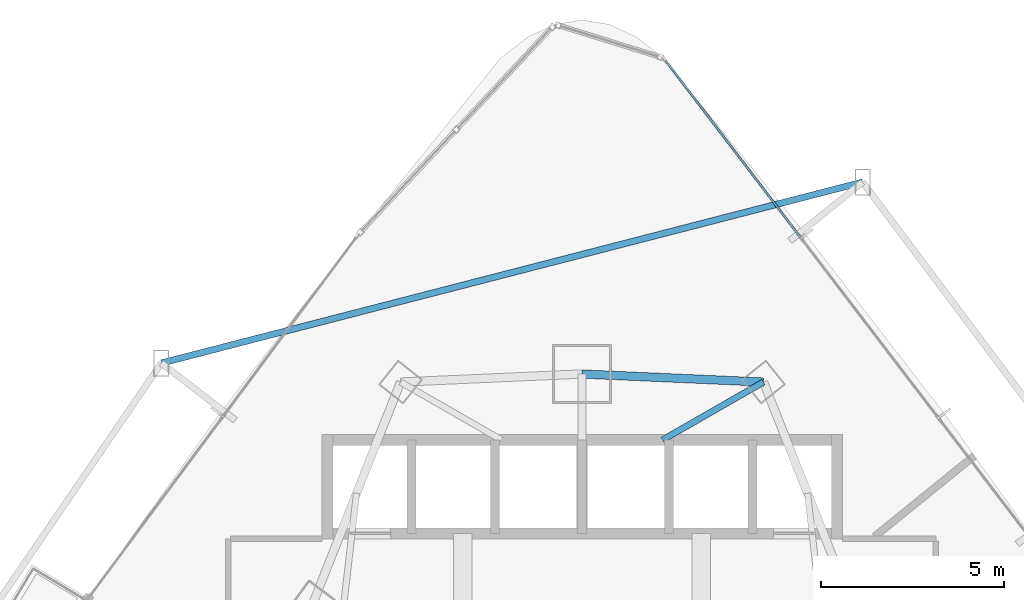
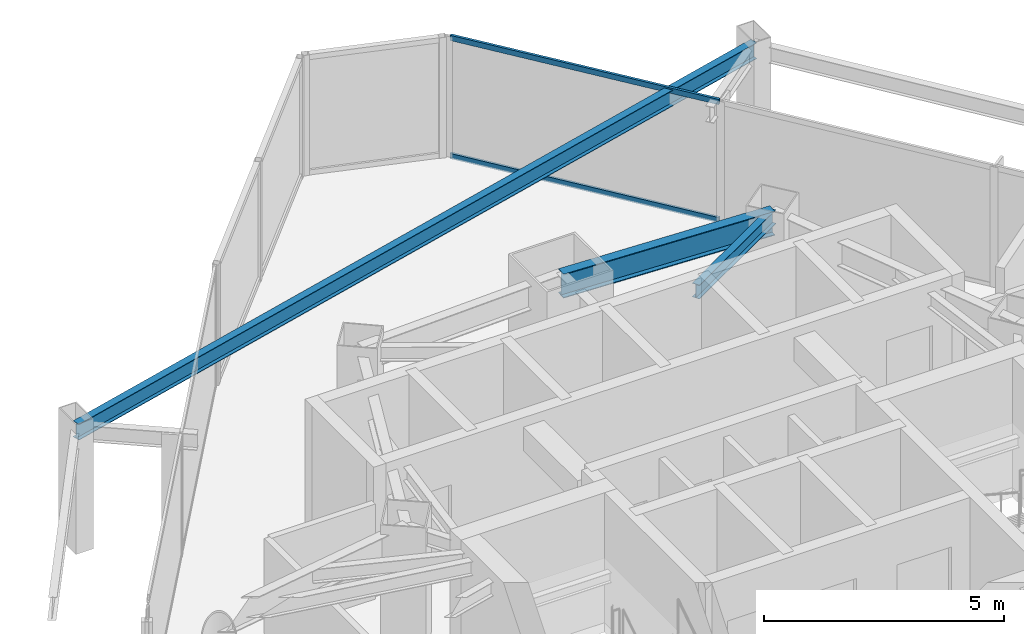
# One storey, part 23 of 34: 3 beams, 2 members, 1 element without a shape of its own.
"""IFC4 building model written with IfcOpenShell, lengths in metres."""

import ifcopenshell
import ifcopenshell.guid

model = None  # the IFC model being written
_history = None  # IfcOwnerHistory: only IFC2X3 demands one
_inside = {}  # id of a spatial element -> (the spatial element, [elements in it])
_under = {}  # id of a project, library or spatial element -> (it, [spatial elements below it])
_declared = {}  # id of a project -> (the project, [libraries it declares])
_typed = {}  # id of a type object -> (the type object, [elements of that type])
_made_of = {}  # id of a material, layer set ... -> (it, [elements and type objects made of it])


def new_model(schema):
    """Start an empty IFC model of exactly this schema.

    Asked for "IFC4X3", IfcOpenShell would pick the latest addendum, in which some entities
    have other attributes; the version numbers below select the first issue.
    IFC2X3 requires an IfcOwnerHistory on every rooted entity: one is made here for all.
    """
    global model, _history
    if schema == "IFC4X3":
        model = ifcopenshell.file(schema_version=(4, 3, 0, 0))
    else:
        model = ifcopenshell.file(schema=schema)
    _inside.clear()
    _under.clear()
    _declared.clear()
    _typed.clear()
    _made_of.clear()
    _history = None
    if model.schema == "IFC2X3":
        org = make("IfcOrganization", Name="unknown")
        user = make(
            "IfcPersonAndOrganization",
            ThePerson=make("IfcPerson", FamilyName="unknown"),
            TheOrganization=org,
        )
        app = make(
            "IfcApplication",
            ApplicationDeveloper=org,
            Version="unknown",
            ApplicationFullName="unknown",
            ApplicationIdentifier="unknown",
        )
        _history = make(
            "IfcOwnerHistory",
            OwningUser=user,
            OwningApplication=app,
            ChangeAction="ADDED",
            CreationDate=0,
        )
    return model


def make(cls, **values):
    """One entity of the class cls with the attributes given. An attribute that is None is left unset."""
    return model.create_entity(
        cls, **{name: value for name, value in values.items() if value is not None}
    )


def rooted(cls, **values):
    """An entity with a GlobalId (a new one), such as an element, a storey or a relation."""
    return make(cls, GlobalId=ifcopenshell.guid.new(), OwnerHistory=_history, **values)


def si_unit(unit_type, name, prefix=None):
    """IfcSIUnit, for example si_unit("LENGTHUNIT", "METRE", prefix="MILLI")."""
    return make("IfcSIUnit", UnitType=unit_type, Prefix=prefix, Name=name)


def assignment(units):
    """IfcUnitAssignment: the units of a project."""
    return None if units is None else make("IfcUnitAssignment", Units=units)


def point(xyz):
    """IfcCartesianPoint."""
    return None if xyz is None else make("IfcCartesianPoint", Coordinates=xyz)


def direction(xyz):
    """IfcDirection."""
    return None if xyz is None else make("IfcDirection", DirectionRatios=xyz)


def frame(location, z_axis=None, x_axis=None):
    """IfcAxis2Placement3D, a coordinate frame: its origin and axes. An axis left out is left unset."""
    return make(
        "IfcAxis2Placement3D",
        Location=point(location),
        Axis=direction(z_axis),
        RefDirection=direction(x_axis),
    )


def frame_2d(location, x_axis=None):
    """IfcAxis2Placement2D, a coordinate frame in the plane: its origin and x axis."""
    return make(
        "IfcAxis2Placement2D", Location=point(location), RefDirection=direction(x_axis)
    )


def origin():
    """The frame at (0, 0, 0) with its axes left unset."""
    return frame((0.0, 0.0, 0.0))


def origin_2d():
    """The frame at (0, 0) in the plane with its x axis left unset."""
    return frame_2d((0.0, 0.0))


def place(relative_to, where):
    """IfcLocalPlacement: puts the frame where relative to a parent placement (None: the world)."""
    return make(
        "IfcLocalPlacement", PlacementRelTo=relative_to, RelativePlacement=where
    )


def context(
    kind, dimensions, precision=None, world=None, true_north=None, identifier=None
):
    """IfcGeometricRepresentationContext, for example the 3D "Model" context."""
    return make(
        "IfcGeometricRepresentationContext",
        ContextIdentifier=identifier,
        ContextType=kind,
        CoordinateSpaceDimension=dimensions,
        Precision=precision,
        WorldCoordinateSystem=world,
        TrueNorth=true_north,
    )


def subcontext(parent, identifier, kind, view, scale=None):
    """IfcGeometricRepresentationSubContext, for example "Body" below "Model"."""
    return make(
        "IfcGeometricRepresentationSubContext",
        ContextIdentifier=identifier,
        ContextType=kind,
        ParentContext=parent,
        TargetScale=scale,
        TargetView=view,
    )


def project(units=None, contexts=None):
    """IfcProject with its units and contexts."""
    return rooted(
        "IfcProject",
        Name="project",
        RepresentationContexts=contexts,
        UnitsInContext=assignment(units),
    )


def spatial(cls, under=None, at=None, **own):
    """A site, building, storey or space (cls), placed at a placement, below another one or the project."""
    s = rooted(cls, ObjectPlacement=at, **own)
    if under is not None:
        _under.setdefault(under.id(), (under, []))[1].append(s)
    return s


def profile(cls, at=None, kind="AREA", **sizes):
    """A parametric profile (cls). Its sizes go by their IFC names, for example OverallWidth=200.0."""
    return make(cls, ProfileType=kind, Position=at, **sizes)


def hollow_rectangle(**sizes):
    """IfcRectangleHollowProfileDef."""
    return profile("IfcRectangleHollowProfileDef", **sizes)


def i_section(**sizes):
    """IfcIShapeProfileDef."""
    return profile("IfcIShapeProfileDef", **sizes)


def extrude(swept, where, along, depth):
    """IfcExtrudedAreaSolid: the profile swept, set in the frame where, extruded along a direction by depth."""
    return make(
        "IfcExtrudedAreaSolid",
        SweptArea=swept,
        Position=where,
        ExtrudedDirection=direction(along),
        Depth=depth,
    )


def shape(context_of_items, identifier, shape_type, items):
    """IfcShapeRepresentation: the items that make up one representation, for example the "Body"."""
    return make(
        "IfcShapeRepresentation",
        ContextOfItems=context_of_items,
        RepresentationIdentifier=identifier,
        RepresentationType=shape_type,
        Items=items,
    )


def material(Name=None, Category=None):
    """IfcMaterial."""
    return make("IfcMaterial", Name=Name, Category=Category)


def layer(
    of_material, thickness, ventilated=None, Name=None, Category=None, Priority=None
):
    """IfcMaterialLayer: one layer of a wall or slab, of a material (None: an air gap)."""
    return make(
        "IfcMaterialLayer",
        Material=of_material,
        LayerThickness=thickness,
        IsVentilated=ventilated,
        Name=Name,
        Category=Category,
        Priority=Priority,
    )


def layer_set(layers, Name=None):
    """IfcMaterialLayerSet."""
    return make("IfcMaterialLayerSet", MaterialLayers=layers, LayerSetName=Name)


def material_profile(
    of_material, cross_section, Name=None, Category=None, Priority=None
):
    """IfcMaterialProfile: a cross section and its material."""
    return make(
        "IfcMaterialProfile",
        Name=Name,
        Material=of_material,
        Profile=cross_section,
        Priority=Priority,
        Category=Category,
    )


def profile_set(profiles, Name=None, composite=None):
    """IfcMaterialProfileSet."""
    return make(
        "IfcMaterialProfileSet",
        Name=Name,
        MaterialProfiles=profiles,
        CompositeProfile=composite,
    )


def made_of(thing, what):
    """Note that an element or type object is made of a material, layer set ...; save() writes the relation."""
    if what is not None:
        _made_of.setdefault(what.id(), (what, []))[1].append(thing)
    return thing


def type_object(cls, material=None, **own):
    """A type object (cls), such as IfcWallType, which elements share."""
    return made_of(rooted(cls, **own), material)


def element(
    cls,
    number,
    at=None,
    inside=None,
    cuts=None,
    type_object=None,
    material=None,
    context=None,
    identifier="Body",
    shape_type=None,
    held_by="IfcProductDefinitionShape",
    body=None,
    shapes=None,
    **own,
):
    """One element of the class cls, such as IfcWall. Its Tag is "e" and its number.

    at: its placement. inside: the storey or other place that contains it. cuts: it is an
    opening in that element (IfcRelVoidsElement). A single representation is given by context,
    identifier, shape_type and body (its items); several are given by shapes. held_by: the class
    of the entity that holds the representations. save() writes the other relations.
    """
    e = rooted(cls, Tag="e%d" % number, ObjectPlacement=at, **own)
    if body is not None:
        shapes = [shape(context, identifier, shape_type, body)]
    if shapes is not None:
        e.Representation = make(held_by, Representations=shapes)
    if inside is not None:
        _inside.setdefault(inside.id(), (inside, []))[1].append(e)
    if cuts is not None:
        rooted(
            "IfcRelVoidsElement", RelatingBuildingElement=cuts, RelatedOpeningElement=e
        )
    if type_object is not None:
        _typed.setdefault(type_object.id(), (type_object, []))[1].append(e)
    return made_of(e, material)


def aggregate(whole, parts):
    """IfcRelAggregates: a whole, such as a stair, and the parts it consists of."""
    return rooted("IfcRelAggregates", RelatingObject=whole, RelatedObjects=parts)


def save(model, path):
    """Write the relations noted so far, then the file.

    IfcRelAggregates (storeys below a building ...), IfcRelContainedInSpatialStructure (elements
    in a storey), IfcRelDefinesByType, IfcRelAssociatesMaterial and IfcRelDeclares: one each for
    every whole, place, type object, material and project.
    """
    for whole, parts in _under.values():
        aggregate(whole, parts)
    for where, things in _inside.values():
        rooted(
            "IfcRelContainedInSpatialStructure",
            RelatedElements=things,
            RelatingStructure=where,
        )
    for kind, things in _typed.values():
        rooted("IfcRelDefinesByType", RelatedObjects=things, RelatingType=kind)
    for what, things in _made_of.values():
        rooted("IfcRelAssociatesMaterial", RelatedObjects=things, RelatingMaterial=what)
    for by, libraries in _declared.values():
        rooted("IfcRelDeclares", RelatingContext=by, RelatedDefinitions=libraries)
    model.write(path)


model = new_model("IFC4")

# Units and contexts
model_context = context("Model", 3, precision=1e-05, world=origin(), true_north=direction((0.0, 1.0)))
body_context = subcontext(model_context, "Body", "Model", "MODEL_VIEW")
ifc_project = project(units=[si_unit("LENGTHUNIT", "METRE"), si_unit("AREAUNIT", "SQUARE_METRE"), si_unit("VOLUMEUNIT", "CUBIC_METRE"), si_unit("PLANEANGLEUNIT", "RADIAN"), si_unit("MASSUNIT", "GRAM", prefix="KILO")], contexts=[model_context])

# Site, building, storey
site_placement = place(None, origin())
site = spatial("IfcSite", under=ifc_project, at=site_placement, CompositionType="ELEMENT")
building_placement = place(site_placement, origin())
building = spatial("IfcBuilding", under=site, at=building_placement, Name="Orvanel Arch Residences", CompositionType="ELEMENT")
storey_placement = place(building_placement, frame((0.0, 0.0, 74.14990234375)))
storey = spatial("IfcBuildingStorey", under=building, at=storey_placement, Name="L20", CompositionType="ELEMENT", Elevation=74.14990234375)

# Beams
ifc_material_1 = material(Name="Structural steel AS/NZS 3679.1 Grade 300 (300 MPa)", Category="steel")
ifc_material_profile_1 = material_profile(ifc_material_1, i_section(OverallWidth=0.1708984375, OverallDepth=0.35595703125, WebThickness=0.00732421875, FlangeThickness=0.011474609375, at=origin_2d()), Name="360UB50.7")
ifc_profile_set_1 = profile_set([ifc_material_profile_1], Name="Structural steel AS/NZS 3679.1 Grade 300 (300 MPa)")
beam_type_1 = type_object("IfcBeamType", Name="BJ-360UB", PredefinedType="JOIST", material=ifc_profile_set_1)
beam_1_placement = place(storey_placement, frame((35.199951171875, 39.60009765625, 2.882080078125), z_axis=(0.86736513383, 0.497672306458, 0.0), x_axis=(-0.497672306458, 0.86736513383, 0.0)))
element("IfcBeam", 1, at=beam_1_placement, inside=storey, type_object=beam_type_1, Name="L20 MNE Wing Floor Joist", PredefinedType="JOIST", context=body_context, shape_type="SweptSolid", body=[
    extrude(i_section(OverallWidth=0.1708984375, OverallDepth=0.35595703125, WebThickness=0.00732421875, FlangeThickness=0.011474609375, at=origin_2d()), origin(), (0.0, 0.0, 1.0), 3.17041015625),
])
ifc_material_profile_2 = material_profile(ifc_material_1, i_section(OverallWidth=0.177978515625, OverallDepth=0.406005859375, WebThickness=0.0078125, FlangeThickness=0.0126953125, at=origin_2d()), Name="410UB59.7")
ifc_profile_set_2 = profile_set([ifc_material_profile_2], Name="Structural steel AS/NZS 3679.1 Grade 300 (300 MPa)")
beam_type_2 = type_object("IfcBeamType", Name="OB-410UB-EXT", PredefinedType="SPANDREL", material=ifc_profile_set_2)
beam_2_placement = place(storey_placement, frame((40.654052734375, 46.632080078125, 2.857177734375), z_axis=(-0.968283689255, -0.249853351235, 0.0), x_axis=(0.249853351235, -0.968283689255, 0.0)))
element("IfcBeam", 2, at=beam_2_placement, inside=storey, type_object=beam_type_2, Name="L20 Outer Perimeter Floor Ring Beam 12", PredefinedType="SPANDREL", context=body_context, shape_type="SweptSolid", body=[
    extrude(i_section(OverallWidth=0.177978515625, OverallDepth=0.406005859375, WebThickness=0.0078125, FlangeThickness=0.0126953125, at=origin_2d()), origin(), (0.0, 0.0, 1.0), 19.755615234375),
])
ifc_material_profile_3 = material_profile(ifc_material_1, i_section(OverallWidth=0.22900390625, OverallDepth=0.612060546875, WebThickness=0.011962890625, FlangeThickness=0.01953125, at=origin_2d()), Name="610UB125")
ifc_profile_set_3 = profile_set([ifc_material_profile_3], Name="Structural steel AS/NZS 3679.1 Grade 300 (300 MPa)")
beam_type_3 = type_object("IfcBeamType", Name="SP-610UB", PredefinedType="SPANDREL", material=ifc_profile_set_3)
beam_3_placement = place(storey_placement, frame((37.949951171875, 41.177978515625, 2.754150390625), z_axis=(-0.999014049296, 0.044395149614, 0.0), x_axis=(-0.044395149614, -0.999014049296, 0.0)))
element("IfcBeam", 3, at=beam_3_placement, inside=storey, type_object=beam_type_3, Name="L20 Perimeter Spandrel Beam 16", PredefinedType="SPANDREL", context=body_context, shape_type="SweptSolid", body=[
    extrude(i_section(OverallWidth=0.22900390625, OverallDepth=0.612060546875, WebThickness=0.011962890625, FlangeThickness=0.01953125, at=origin_2d()), origin(), (0.0, 0.0, 1.0), 4.954833984375),
])

# Curtain wall, members
ifc_material_2 = material(Name="Bronze-anodised aluminium AA6063-T6", Category="aluminium")
ifc_layer = layer(ifc_material_2, 0.179931640625)
ifc_layer_set = layer_set([ifc_layer], Name="Bronze-anodised aluminium AA6063-T6")
curtain_wall_type = type_object("IfcCurtainWallType", Name="CW2-LOW-SYS", PredefinedType="NOTDEFINED", material=ifc_layer_set)
curtain_wall_placement = place(storey_placement, origin())
curtain_wall = element("IfcCurtainWall", 4, at=curtain_wall_placement, inside=storey, type_object=curtain_wall_type, Name="L20 CW2-LOW-SYS Unitised Curtain Wall", PredefinedType="NOTDEFINED")
ifc_material_profile_4 = material_profile(ifc_material_2, hollow_rectangle(XDim=0.06005859375, YDim=0.135009765625, WallThickness=0.00390625, at=origin_2d()), Name="ALU135x60x4")
ifc_profile_set_4 = profile_set([ifc_material_profile_4], Name="Bronze-anodised aluminium AA6063-T6")
member_type = type_object("IfcMemberType", Name="TRN-135x60", PredefinedType="USERDEFINED", material=ifc_profile_set_4)
member_1_placement = place(storey_placement, frame((38.95751953125, 45.12841796875, 0.030029296875), z_axis=(-0.606952007069, 0.794738485991, 0.0), x_axis=(-0.794738485991, -0.606952007069, 0.0)))
member_1 = element("IfcMember", 5, at=member_1_placement, type_object=member_type, Name="CW-S2 transom 3.1", ObjectType="TRANSOM", PredefinedType="USERDEFINED", context=body_context, shape_type="SweptSolid", body=[
    extrude(hollow_rectangle(XDim=0.06005859375, YDim=0.135009765625, WallThickness=0.00390625, at=origin_2d()), origin(), (0.0, 0.0, 1.0), 6.059814453125),
])
member_2_placement = place(storey_placement, frame((38.95751953125, 45.12841796875, 3.030029296875), z_axis=(-0.606952007069, 0.794738485991, 0.0), x_axis=(-0.794738485991, -0.606952007069, 0.0)))
member_2 = element("IfcMember", 6, at=member_2_placement, type_object=member_type, Name="CW-S2 transom 3.2", ObjectType="TRANSOM", PredefinedType="USERDEFINED", context=body_context, shape_type="SweptSolid", body=[
    extrude(hollow_rectangle(XDim=0.06005859375, YDim=0.135009765625, WallThickness=0.00390625, at=origin_2d()), origin(), (0.0, 0.0, 1.0), 6.059814453125),
])
aggregate(curtain_wall, [member_1, member_2])

save(model, "model.ifc")
